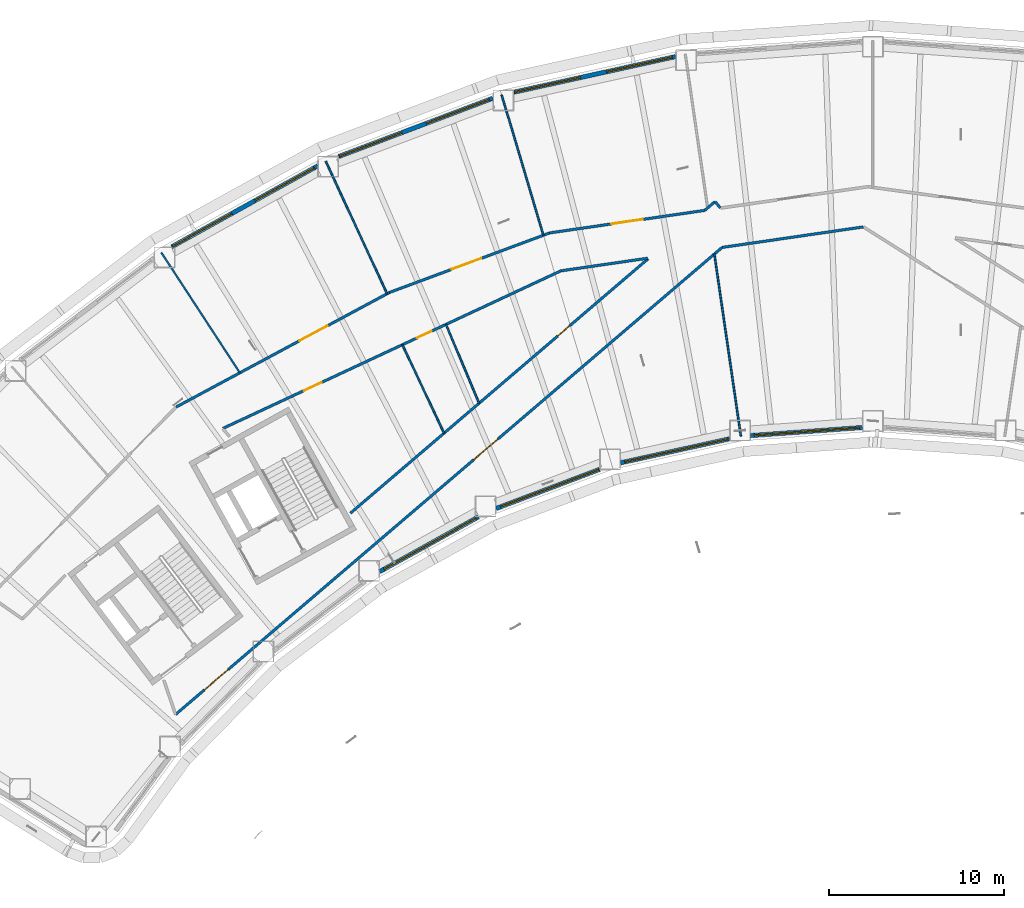
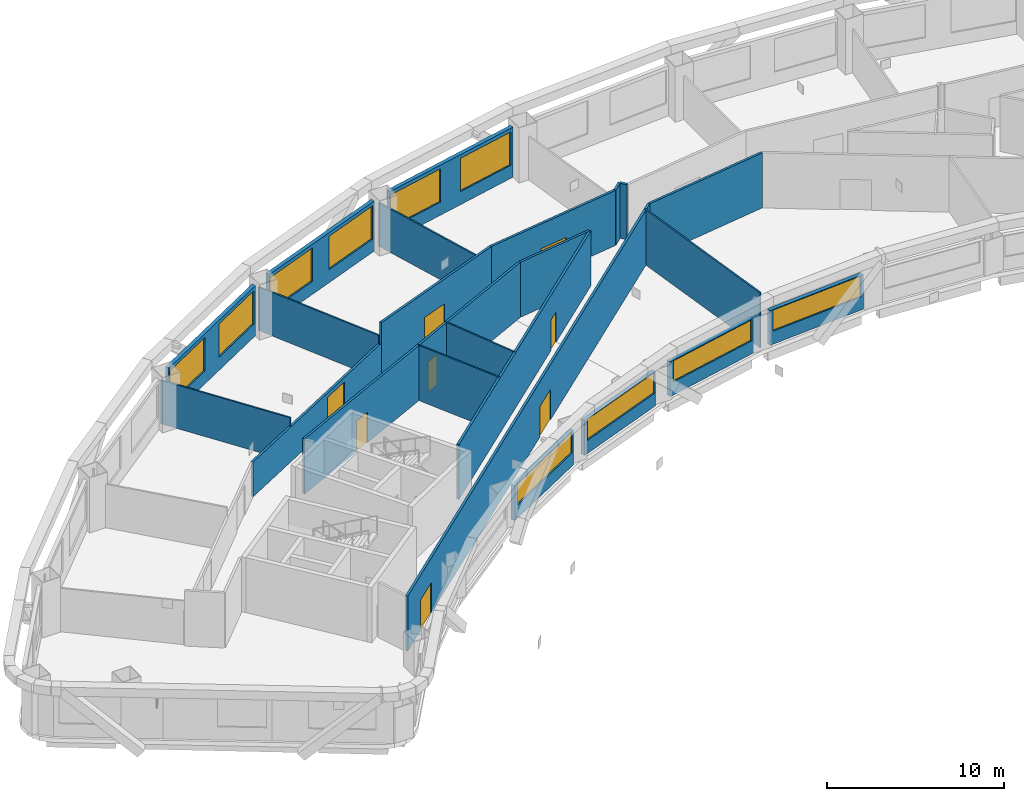
# One storey, part 4 of 19: 23 walls, 10 windows, 8 doors, 18 openings.
"""IFC4 building model written with IfcOpenShell, lengths in metres."""

from ifc_helpers import new_model, si_unit, direction, frame, frame_2d, origin, place, context, subcontext, project, spatial, rectangle, extrude, material, layer, layer_set, type_object, element, fill, save


model = new_model("IFC4")

# Units and contexts
model_context = context("Model", 3, precision=1e-05, world=origin(), true_north=direction((0.0, 1.0)))
body_context = subcontext(model_context, "Body", "Model", "MODEL_VIEW")
ifc_project = project(units=[si_unit("LENGTHUNIT", "METRE"), si_unit("AREAUNIT", "SQUARE_METRE"), si_unit("VOLUMEUNIT", "CUBIC_METRE"), si_unit("PLANEANGLEUNIT", "RADIAN"), si_unit("MASSUNIT", "GRAM", prefix="KILO")], contexts=[model_context])

# Site, building, storey
site_placement = place(None, origin())
site = spatial("IfcSite", under=ifc_project, at=site_placement, CompositionType="ELEMENT")
building_placement = place(site_placement, origin())
building = spatial("IfcBuilding", under=site, at=building_placement, Name="Tuul Gate Civic Tower", CompositionType="ELEMENT")
storey_placement = place(building_placement, frame((0.0, 0.0, 90.60009765625)))
storey = spatial("IfcBuildingStorey", under=building, at=storey_placement, Name="Level 20", CompositionType="ELEMENT", Elevation=90.60009765625)

# Wall, opening, door
ifc_material_1 = material(Name="Gypsum board partition")
ifc_layer_1 = layer(ifc_material_1, 0.14990234375)
ifc_layer_set_1 = layer_set([ifc_layer_1], Name="Gypsum board partition")
wall_type_1 = type_object("IfcWallType", Name="Corridor wall P150", PredefinedType="PARTITIONING", material=ifc_layer_set_1)
wall_1_placement = place(storey_placement, frame((-13.622314453125, 8.079833984375, 0.0), z_axis=(0.0, 0.0, 1.0), x_axis=(0.989618205953, 0.143721280421, 0.0)))
wall_1 = element("IfcWall", 1, at=wall_1_placement, inside=storey, type_object=wall_type_1, Name="p021", PredefinedType="PARTITIONING", context=body_context, shape_type="SweptSolid", body=[
    extrude(rectangle(XDim=8.93017578125, YDim=0.14990234375, at=frame_2d((4.465087890625, 0.0))), origin(), (0.0, 0.0, 1.0), 3.7998046875),
])
opening_1_placement = place(wall_1_placement, frame((3.56494140625, 0.0, 0.0)))
opening_1 = element("IfcOpeningElement", 2, at=opening_1_placement, cuts=wall_1, Name="Opening F-D07", PredefinedType="OPENING", context=body_context, shape_type="SweptSolid", body=[
    extrude(rectangle(XDim=1.800048828125, YDim=2.10009765625, at=frame_2d((0.89990234375, 1.050048828125))), frame((0.0, 0.0849609375, 0.0), z_axis=(0.0, -1.0, 0.0), x_axis=(1.0, 0.0, 0.0)), (0.0, 0.0, 1.0), 0.169921875),
])
ifc_material_2 = material(Name="Timber door leaf, double", Category="wood")
door_type_1 = type_object("IfcDoorType", Name="Door D18", OperationType="DOUBLE_DOOR_SINGLE_SWING", PredefinedType="DOOR", material=ifc_material_2)
door_1_placement = place(opening_1_placement, origin())
door_1 = element("IfcDoor", 3, at=door_1_placement, inside=storey, type_object=door_type_1, Name="Door F-D07", OperationType="DOUBLE_DOOR_SINGLE_SWING", OverallHeight=2.10009765625, OverallWidth=1.800048828125, PredefinedType="DOOR", context=body_context, shape_type="SweptSolid", body=[
    extrude(rectangle(XDim=1.800048828125, YDim=2.10009765625, at=frame_2d((0.89990234375, 1.050048828125))), frame((0.0, 0.02490234375, 0.0), z_axis=(0.0, -1.0, 0.0), x_axis=(1.0, 0.0, 0.0)), (0.0, 0.0, 1.0), 0.050048828125),
])
fill(opening_1, door_1)

# Wall
wall_2_placement = place(storey_placement, frame((-4.19384765625, 9.86376953125, 0.0), z_axis=(0.0, 0.0, 1.0), x_axis=(0.649560302812, -0.760310076884, 0.0)))
element("IfcWall", 4, at=wall_2_placement, inside=storey, type_object=wall_type_1, Name="p023", PredefinedType="PARTITIONING", context=body_context, shape_type="SweptSolid", body=[
    extrude(rectangle(XDim=0.473876953125, YDim=0.14990234375, at=frame_2d((0.23681640625, 0.0))), origin(), (0.0, 0.0, 1.0), 3.7998046875),
])

# Wall, opening, door
wall_3_placement = place(storey_placement, frame((-24.98876953125, -7.906494140625, 0.0), z_axis=(0.0, 0.0, 1.0), x_axis=(0.760220451321, 0.649665194845, 0.0)))
wall_3 = element("IfcWall", 5, at=wall_3_placement, inside=storey, type_object=wall_type_1, Name="p024", PredefinedType="PARTITIONING", context=body_context, shape_type="SweptSolid", body=[
    extrude(rectangle(XDim=22.33056640625, YDim=0.14990234375, at=frame_2d((11.165283203125, 0.0))), origin(), (0.0, 0.0, 1.0), 3.7998046875),
])
opening_2_placement = place(wall_3_placement, frame((15.542236328125, 0.0, 0.0)))
opening_2 = element("IfcOpeningElement", 6, at=opening_2_placement, cuts=wall_3, Name="Opening F-D20", PredefinedType="OPENING", context=body_context, shape_type="SweptSolid", body=[
    extrude(rectangle(XDim=0.89990234375, YDim=2.10009765625, at=frame_2d((0.449951171875, 1.050048828125))), frame((0.0, 0.0849609375, 0.0), z_axis=(0.0, -1.0, 0.0), x_axis=(1.0, 0.0, 0.0)), (0.0, 0.0, 1.0), 0.169921875),
])
ifc_material_3 = material(Name="Timber door leaf", Category="wood")
door_type_2 = type_object("IfcDoorType", Name="Door D09", OperationType="NOTDEFINED", PredefinedType="DOOR", material=ifc_material_3)
door_2_placement = place(opening_2_placement, origin())
door_2 = element("IfcDoor", 7, at=door_2_placement, inside=storey, type_object=door_type_2, Name="Door F-D20", OperationType="SINGLE_SWING_RIGHT", OverallHeight=2.10009765625, OverallWidth=0.89990234375, PredefinedType="DOOR", context=body_context, shape_type="SweptSolid", body=[
    extrude(rectangle(XDim=0.89990234375, YDim=2.10009765625, at=frame_2d((0.449951171875, 1.050048828125))), frame((0.0, 0.02490234375, 0.0), z_axis=(0.0, -1.0, 0.0), x_axis=(1.0, 0.0, 0.0)), (0.0, 0.0, 1.0), 0.050048828125),
])
fill(opening_2, door_2)

# Wall
wall_4_placement = place(storey_placement, frame((-4.77490234375, 9.367919921875, 0.0), z_axis=(0.0, 0.0, 1.0), x_axis=(0.760271655503, 0.649605272329, 0.0)))
element("IfcWall", 8, at=wall_4_placement, inside=storey, type_object=wall_type_1, Name="p025", PredefinedType="PARTITIONING", context=body_context, shape_type="SweptSolid", body=[
    extrude(rectangle(XDim=0.763427734375, YDim=0.14990234375, at=frame_2d((0.3818359375, 0.0))), origin(), (0.0, 0.0, 1.0), 3.7998046875),
])

# Wall, opening, door
wall_5_placement = place(storey_placement, frame((-22.761962890625, 4.682861328125, 0.0), z_axis=(0.0, 0.0, 1.0), x_axis=(0.937346082051, 0.348399659104, 0.0)))
wall_5 = element("IfcWall", 9, at=wall_5_placement, inside=storey, type_object=wall_type_1, Name="p027", PredefinedType="PARTITIONING", context=body_context, shape_type="SweptSolid", body=[
    extrude(rectangle(XDim=9.74951171875, YDim=0.14990234375, at=frame_2d((4.874755859375, 0.0))), origin(), (0.0, 0.0, 1.0), 3.7998046875),
])
opening_3_placement = place(wall_5_placement, frame((3.784423828125, 0.0, 0.0)))
opening_3 = element("IfcOpeningElement", 10, at=opening_3_placement, cuts=wall_5, Name="Opening F-D08", PredefinedType="OPENING", context=body_context, shape_type="SweptSolid", body=[
    extrude(rectangle(XDim=1.800048828125, YDim=2.10009765625, at=frame_2d((0.89990234375, 1.050048828125))), frame((0.0, 0.0849609375, 0.0), z_axis=(0.0, -1.0, 0.0), x_axis=(1.0, 0.0, 0.0)), (0.0, 0.0, 1.0), 0.169921875),
])
door_3_placement = place(opening_3_placement, origin())
door_3 = element("IfcDoor", 11, at=door_3_placement, inside=storey, type_object=door_type_1, Name="Door F-D08", OperationType="DOUBLE_DOOR_SINGLE_SWING", OverallHeight=2.10009765625, OverallWidth=1.800048828125, PredefinedType="DOOR", context=body_context, shape_type="SweptSolid", body=[
    extrude(rectangle(XDim=1.800048828125, YDim=2.10009765625, at=frame_2d((0.89990234375, 1.050048828125))), frame((0.0, 0.02490234375, 0.0), z_axis=(0.0, -1.0, 0.0), x_axis=(1.0, 0.0, 0.0)), (0.0, 0.0, 1.0), 0.050048828125),
])
fill(opening_3, door_3)

# Wall, openings, doors
wall_6_placement = place(storey_placement, frame((-34.961181640625, -19.38818359375, 0.0), z_axis=(0.0, 0.0, 1.0), x_axis=(0.760222517419, 0.649662777146, 0.0)))
wall_6 = element("IfcWall", 12, at=wall_6_placement, inside=storey, type_object=wall_type_1, Name="p042", PredefinedType="PARTITIONING", context=body_context, shape_type="SweptSolid", body=[
    extrude(rectangle(XDim=41.0, YDim=0.14990234375, at=frame_2d((20.5, 0.0))), origin(), (0.0, 0.0, 1.0), 3.7998046875),
])
opening_4_placement = place(wall_6_placement, frame((22.376220703125, 0.0, 0.0)))
opening_4 = element("IfcOpeningElement", 13, at=opening_4_placement, cuts=wall_6, Name="Opening F-D15", PredefinedType="OPENING", context=body_context, shape_type="SweptSolid", body=[
    extrude(rectangle(XDim=1.800048828125, YDim=2.10009765625, at=frame_2d((0.89990234375, 1.050048828125))), frame((0.0, 0.0849609375, 0.0), z_axis=(0.0, -1.0, 0.0), x_axis=(1.0, 0.0, 0.0)), (0.0, 0.0, 1.0), 0.169921875),
])
opening_5_placement = place(wall_6_placement, frame((2.164306640625, 0.0, 0.0)))
opening_5 = element("IfcOpeningElement", 14, at=opening_5_placement, cuts=wall_6, Name="Opening F-D16", PredefinedType="OPENING", context=body_context, shape_type="SweptSolid", body=[
    extrude(rectangle(XDim=1.800048828125, YDim=2.10009765625, at=frame_2d((0.89990234375, 1.050048828125))), frame((0.0, 0.0849609375, 0.0), z_axis=(0.0, -1.0, 0.0), x_axis=(1.0, 0.0, 0.0)), (0.0, 0.0, 1.0), 0.169921875),
])
door_4_placement = place(opening_4_placement, frame((1.800048828125, 0.0, 0.0), z_axis=(0.0, 0.0, 1.0), x_axis=(-1.0, 0.0, 0.0)))
door_4 = element("IfcDoor", 15, at=door_4_placement, inside=storey, type_object=door_type_1, Name="Door F-D15", OperationType="DOUBLE_DOOR_SINGLE_SWING", OverallHeight=2.10009765625, OverallWidth=1.800048828125, PredefinedType="DOOR", context=body_context, shape_type="SweptSolid", body=[
    extrude(rectangle(XDim=1.800048828125, YDim=2.10009765625, at=frame_2d((0.900146484375, 1.050048828125))), frame((0.0, 0.02490234375, 0.0), z_axis=(0.0, -1.0, 0.0), x_axis=(1.0, 0.0, 0.0)), (0.0, 0.0, 1.0), 0.050048828125),
])
fill(opening_4, door_4)
door_5_placement = place(opening_5_placement, frame((1.800048828125, 0.0, 0.0), z_axis=(0.0, 0.0, 1.0), x_axis=(-1.0, 0.0, 0.0)))
door_5 = element("IfcDoor", 16, at=door_5_placement, inside=storey, type_object=door_type_1, Name="Door F-D16", OperationType="DOUBLE_DOOR_SINGLE_SWING", OverallHeight=2.10009765625, OverallWidth=1.800048828125, PredefinedType="DOOR", context=body_context, shape_type="SweptSolid", body=[
    extrude(rectangle(XDim=1.800048828125, YDim=2.10009765625, at=frame_2d((0.900146484375, 1.050048828125))), frame((0.0, 0.02490234375, 0.0), z_axis=(0.0, -1.0, 0.0), x_axis=(1.0, 0.0, 0.0)), (0.0, 0.0, 1.0), 0.050048828125),
])
fill(opening_5, door_5)

# Walls
wall_7_placement = place(storey_placement, frame((-12.9833984375, 5.916259765625, 0.0), z_axis=(0.0, 0.0, 1.0), x_axis=(0.98961420337, 0.143748838213, 0.0)))
element("IfcWall", 17, at=wall_7_placement, inside=storey, type_object=wall_type_1, Name="p043", PredefinedType="PARTITIONING", context=body_context, shape_type="SweptSolid", body=[
    extrude(rectangle(XDim=5.0068359375, YDim=0.14990234375, at=frame_2d((2.50341796875, 0.0))), origin(), (0.0, 0.0, 1.0), 3.7998046875),
])
wall_8_placement = place(storey_placement, frame((-3.78173828125, 7.252685546875, 0.0), z_axis=(0.0, 0.0, 1.0), x_axis=(0.989615748176, 0.14373820286, 0.0)))
element("IfcWall", 18, at=wall_8_placement, inside=storey, type_object=wall_type_1, Name="p044", PredefinedType="PARTITIONING", context=body_context, shape_type="SweptSolid", body=[
    extrude(rectangle(XDim=8.12744140625, YDim=0.14990234375, at=frame_2d((4.063720703125, 0.0))), origin(), (0.0, 0.0, 1.0), 3.7998046875),
])

# Wall, openings, doors
wall_9_placement = place(storey_placement, frame((-32.259521484375, -3.0703125, 0.0), z_axis=(0.0, 0.0, 1.0), x_axis=(0.906327999579, 0.422574913096, 0.0)))
wall_9 = element("IfcWall", 19, at=wall_9_placement, inside=storey, type_object=wall_type_1, Name="p061", PredefinedType="PARTITIONING", context=body_context, shape_type="SweptSolid", body=[
    extrude(rectangle(XDim=21.26220703125, YDim=0.14990234375, at=frame_2d((10.631103515625, 0.0))), origin(), (0.0, 0.0, 1.0), 3.7998046875),
])
opening_6_placement = place(wall_9_placement, frame((12.2158203125, 0.0, 0.0)))
opening_6 = element("IfcOpeningElement", 20, at=opening_6_placement, cuts=wall_9, Name="Opening F-D21", PredefinedType="OPENING", context=body_context, shape_type="SweptSolid", body=[
    extrude(rectangle(XDim=0.89990234375, YDim=2.10009765625, at=frame_2d((0.449951171875, 1.050048828125))), frame((0.0, 0.0849609375, 0.0), z_axis=(0.0, -1.0, 0.0), x_axis=(1.0, 0.0, 0.0)), (0.0, 0.0, 1.0), 0.169921875),
])
opening_7_placement = place(wall_9_placement, frame((5.096435546875, 0.0, 0.0)))
opening_7 = element("IfcOpeningElement", 21, at=opening_7_placement, cuts=wall_9, Name="Opening F-D22", PredefinedType="OPENING", context=body_context, shape_type="SweptSolid", body=[
    extrude(rectangle(XDim=1.10009765625, YDim=2.10009765625, at=frame_2d((0.550048828125, 1.050048828125))), frame((0.0, 0.0849609375, 0.0), z_axis=(0.0, -1.0, 0.0), x_axis=(1.0, 0.0, 0.0)), (0.0, 0.0, 1.0), 0.169921875),
])
door_6_placement = place(opening_6_placement, frame((0.89990234375, 0.0, 0.0), z_axis=(0.0, 0.0, 1.0), x_axis=(-1.0, 0.0, 0.0)))
door_6 = element("IfcDoor", 22, at=door_6_placement, inside=storey, type_object=door_type_2, Name="Door F-D21", OperationType="SINGLE_SWING_LEFT", OverallHeight=2.10009765625, OverallWidth=0.89990234375, PredefinedType="DOOR", context=body_context, shape_type="SweptSolid", body=[
    extrude(rectangle(XDim=0.89990234375, YDim=2.10009765625, at=frame_2d((0.449951171875, 1.050048828125))), frame((0.0, 0.02490234375, 0.0), z_axis=(0.0, -1.0, 0.0), x_axis=(1.0, 0.0, 0.0)), (0.0, 0.0, 1.0), 0.050048828125),
])
fill(opening_6, door_6)
ifc_material_4 = material(Name="Timber door leaf", Category="wood")
door_type_3 = type_object("IfcDoorType", Name="Door D11", OperationType="NOTDEFINED", PredefinedType="DOOR", material=ifc_material_4)
door_7_placement = place(opening_7_placement, frame((1.10009765625, 0.0, 0.0), z_axis=(0.0, 0.0, 1.0), x_axis=(-1.0, 0.0, 0.0)))
door_7 = element("IfcDoor", 23, at=door_7_placement, inside=storey, type_object=door_type_3, Name="Door F-D22", OperationType="SINGLE_SWING_LEFT", OverallHeight=2.10009765625, OverallWidth=1.10009765625, PredefinedType="DOOR", context=body_context, shape_type="SweptSolid", body=[
    extrude(rectangle(XDim=1.10009765625, YDim=2.10009765625, at=frame_2d((0.550048828125, 1.050048828125))), frame((0.0, 0.02490234375, 0.0), z_axis=(0.0, -1.0, 0.0), x_axis=(1.0, 0.0, 0.0)), (0.0, 0.0, 1.0), 0.050048828125),
])
fill(opening_7, door_7)

# Wall, opening, door
ifc_material_5 = material(Name="Gypsum board partition")
ifc_layer_2 = layer(ifc_material_5, 0.14990234375)
ifc_layer_set_2 = layer_set([ifc_layer_2], Name="Gypsum board partition")
wall_type_2 = type_object("IfcWallType", Name="Corridor wall P150 2400 HIGH", PredefinedType="PARTITIONING", material=ifc_layer_set_2)
wall_10_placement = place(storey_placement, frame((-34.932861328125, -1.854248046875, 0.0), z_axis=(0.0, 0.0, 1.0), x_axis=(0.880970008897, 0.473172107613, 0.0)))
wall_10 = element("IfcWall", 24, at=wall_10_placement, inside=storey, type_object=wall_type_2, Name="p029", PredefinedType="PARTITIONING", context=body_context, shape_type="SweptSolid", body=[
    extrude(rectangle(XDim=13.81396484375, YDim=0.14990234375, at=frame_2d((6.906982421875, 0.0))), origin(), (0.0, 0.0, 1.0), 2.39990234375),
])
opening_8_placement = place(wall_10_placement, frame((7.99609375, 0.0, 0.0)))
opening_8 = element("IfcOpeningElement", 25, at=opening_8_placement, cuts=wall_10, Name="Opening F-D09", PredefinedType="OPENING", context=body_context, shape_type="SweptSolid", body=[
    extrude(rectangle(XDim=1.800048828125, YDim=2.10009765625, at=frame_2d((0.89990234375, 1.050048828125))), frame((0.0, 0.0849609375, 0.0), z_axis=(0.0, -1.0, 0.0), x_axis=(1.0, 0.0, 0.0)), (0.0, 0.0, 1.0), 0.169921875),
])
door_8_placement = place(opening_8_placement, origin())
door_8 = element("IfcDoor", 26, at=door_8_placement, inside=storey, type_object=door_type_1, Name="Door F-D09", OperationType="DOUBLE_DOOR_SINGLE_SWING", OverallHeight=2.10009765625, OverallWidth=1.800048828125, PredefinedType="DOOR", context=body_context, shape_type="SweptSolid", body=[
    extrude(rectangle(XDim=1.800048828125, YDim=2.10009765625, at=frame_2d((0.89990234375, 1.050048828125))), frame((0.0, 0.02490234375, 0.0), z_axis=(0.0, -1.0, 0.0), x_axis=(1.0, 0.0, 0.0)), (0.0, 0.0, 1.0), 0.050048828125),
])
fill(opening_8, door_8)

# Wall, openings, windows
ifc_material_6 = material(Name="Precast concrete C40/50", Category="concrete")
ifc_layer_3 = layer(ifc_material_6, 0.25)
ifc_layer_set_3 = layer_set([ifc_layer_3], Name="Precast concrete C40/50")
wall_type_3 = type_object("IfcWallType", Name="External wall", PredefinedType="STANDARD", material=ifc_layer_set_3)
wall_11_placement = place(storey_placement, frame((-6.44091796875, 18.135986328125, 0.0), z_axis=(0.0, 0.0, 1.0), x_axis=(-0.976566757171, -0.215214703934, 0.0)))
wall_11 = element("IfcWall", 27, at=wall_11_placement, inside=storey, type_object=wall_type_3, Name="External wall", PredefinedType="STANDARD", context=body_context, shape_type="SweptSolid", body=[
    extrude(rectangle(XDim=9.448486328125, YDim=0.25, at=frame_2d((4.72412109375, 0.0))), origin(), (0.0, 0.0, 1.0), 3.449951171875),
])
opening_9_placement = place(wall_11_placement, frame((0.185302734375, 0.0, 0.89990234375)))
opening_9 = element("IfcOpeningElement", 28, at=opening_9_placement, cuts=wall_11, Name="Opening W22", PredefinedType="OPENING", context=body_context, shape_type="SweptSolid", body=[
    extrude(rectangle(XDim=3.85009765625, YDim=2.300048828125, at=frame_2d((1.925048828125, 1.14990234375))), frame((0.0, 0.135009765625, 0.0), z_axis=(0.0, -1.0, 0.0), x_axis=(1.0, 0.0, 0.0)), (0.0, 0.0, 1.0), 0.27001953125),
])
opening_10_placement = place(wall_11_placement, frame((5.556640625, 0.0, 0.89990234375)))
opening_10 = element("IfcOpeningElement", 29, at=opening_10_placement, cuts=wall_11, Name="Opening W22", PredefinedType="OPENING", context=body_context, shape_type="SweptSolid", body=[
    extrude(rectangle(XDim=3.85009765625, YDim=2.300048828125, at=frame_2d((1.925048828125, 1.14990234375))), frame((0.0, 0.135009765625, 0.0), z_axis=(0.0, -1.0, 0.0), x_axis=(1.0, 0.0, 0.0)), (0.0, 0.0, 1.0), 0.27001953125),
])
ifc_material_7 = material(Name="Glass", Category="glass")
window_type_1 = type_object("IfcWindowType", Name="Window W22 3850 x 2300", PartitioningType="SINGLE_PANEL", PredefinedType="WINDOW", material=ifc_material_7)
window_1_placement = place(opening_9_placement, origin())
window_1 = element("IfcWindow", 30, at=window_1_placement, inside=storey, type_object=window_type_1, Name="Window", OverallHeight=2.300048828125, OverallWidth=3.85009765625, PartitioningType="SINGLE_PANEL", PredefinedType="WINDOW", context=body_context, shape_type="SweptSolid", body=[
    extrude(rectangle(XDim=3.85009765625, YDim=2.300048828125, at=frame_2d((1.925048828125, 1.14990234375))), frame((0.0, 0.030029296875, 0.0), z_axis=(0.0, -1.0, 0.0), x_axis=(1.0, 0.0, 0.0)), (0.0, 0.0, 1.0), 0.06005859375),
])
fill(opening_9, window_1)
window_2_placement = place(opening_10_placement, origin())
window_2 = element("IfcWindow", 31, at=window_2_placement, inside=storey, type_object=window_type_1, Name="Window", OverallHeight=2.300048828125, OverallWidth=3.85009765625, PartitioningType="SINGLE_PANEL", PredefinedType="WINDOW", context=body_context, shape_type="SweptSolid", body=[
    extrude(rectangle(XDim=3.85009765625, YDim=2.300048828125, at=frame_2d((1.925048828125, 1.14990234375))), frame((0.0, 0.030029296875, 0.0), z_axis=(0.0, -1.0, 0.0), x_axis=(1.0, 0.0, 0.0)), (0.0, 0.0, 1.0), 0.06005859375),
])
fill(opening_10, window_2)

wall_12_placement = place(storey_placement, frame((-16.867919921875, 15.75830078125, 0.0), z_axis=(0.0, 0.0, 1.0), x_axis=(-0.935342969648, -0.353742178897, 0.0)))
wall_12 = element("IfcWall", 32, at=wall_12_placement, inside=storey, type_object=wall_type_3, Name="External wall", PredefinedType="STANDARD", context=body_context, shape_type="SweptSolid", body=[
    extrude(rectangle(XDim=9.39453125, YDim=0.25, at=frame_2d((4.697265625, 0.0))), origin(), (0.0, 0.0, 1.0), 3.449951171875),
])
opening_11_placement = place(wall_12_placement, frame((0.209716796875, 0.0, 0.89990234375)))
opening_11 = element("IfcOpeningElement", 33, at=opening_11_placement, cuts=wall_12, Name="Opening W22", PredefinedType="OPENING", context=body_context, shape_type="SweptSolid", body=[
    extrude(rectangle(XDim=3.85009765625, YDim=2.300048828125, at=frame_2d((1.925048828125, 1.14990234375))), frame((0.0, 0.135009765625, 0.0), z_axis=(0.0, -1.0, 0.0), x_axis=(1.0, 0.0, 0.0)), (0.0, 0.0, 1.0), 0.27001953125),
])
opening_12_placement = place(wall_12_placement, frame((5.549072265625, 0.0, 0.89990234375)))
opening_12 = element("IfcOpeningElement", 34, at=opening_12_placement, cuts=wall_12, Name="Opening W100", PredefinedType="OPENING", context=body_context, shape_type="SweptSolid", body=[
    extrude(rectangle(XDim=3.800048828125, YDim=2.300048828125, at=frame_2d((1.89990234375, 1.14990234375))), frame((0.0, 0.135009765625, 0.0), z_axis=(0.0, -1.0, 0.0), x_axis=(1.0, 0.0, 0.0)), (0.0, 0.0, 1.0), 0.27001953125),
])
ifc_material_8 = material(Name="Glass", Category="glass")
window_type_2 = type_object("IfcWindowType", Name="Window W100 3800 x 2300", PartitioningType="SINGLE_PANEL", PredefinedType="WINDOW", material=ifc_material_8)
window_3_placement = place(opening_12_placement, origin())
window_3 = element("IfcWindow", 35, at=window_3_placement, inside=storey, type_object=window_type_2, Name="Window", OverallHeight=2.300048828125, OverallWidth=3.800048828125, PartitioningType="SINGLE_PANEL", PredefinedType="WINDOW", context=body_context, shape_type="SweptSolid", body=[
    extrude(rectangle(XDim=3.800048828125, YDim=2.300048828125, at=frame_2d((1.89990234375, 1.14990234375))), frame((0.0, 0.030029296875, 0.0), z_axis=(0.0, -1.0, 0.0), x_axis=(1.0, 0.0, 0.0)), (0.0, 0.0, 1.0), 0.06005859375),
])
fill(opening_12, window_3)
window_4_placement = place(opening_11_placement, origin())
window_4 = element("IfcWindow", 36, at=window_4_placement, inside=storey, type_object=window_type_1, Name="Window", OverallHeight=2.300048828125, OverallWidth=3.85009765625, PartitioningType="SINGLE_PANEL", PredefinedType="WINDOW", context=body_context, shape_type="SweptSolid", body=[
    extrude(rectangle(XDim=3.85009765625, YDim=2.300048828125, at=frame_2d((1.925048828125, 1.14990234375))), frame((0.0, 0.030029296875, 0.0), z_axis=(0.0, -1.0, 0.0), x_axis=(1.0, 0.0, 0.0)), (0.0, 0.0, 1.0), 0.06005859375),
])
fill(opening_11, window_4)

wall_13_placement = place(storey_placement, frame((-26.85498046875, 11.89990234375, 0.0), z_axis=(0.0, 0.0, 1.0), x_axis=(-0.874624944876, -0.484800170999, 0.0)))
wall_13 = element("IfcWall", 37, at=wall_13_placement, inside=storey, type_object=wall_type_3, Name="External wall", PredefinedType="STANDARD", context=body_context, shape_type="SweptSolid", body=[
    extrude(rectangle(XDim=9.521484375, YDim=0.25, at=frame_2d((4.7607421875, 0.0))), origin(), (0.0, 0.0, 1.0), 3.449951171875),
])
opening_13_placement = place(wall_13_placement, frame((0.22265625, 0.0, 0.89990234375)))
opening_13 = element("IfcOpeningElement", 38, at=opening_13_placement, cuts=wall_13, Name="Opening W22", PredefinedType="OPENING", context=body_context, shape_type="SweptSolid", body=[
    extrude(rectangle(XDim=3.85009765625, YDim=2.300048828125, at=frame_2d((1.925048828125, 1.14990234375))), frame((0.0, 0.135009765625, 0.0), z_axis=(0.0, -1.0, 0.0), x_axis=(1.0, 0.0, 0.0)), (0.0, 0.0, 1.0), 0.27001953125),
])
opening_14_placement = place(wall_13_placement, frame((5.593994140625, 0.0, 0.89990234375)))
opening_14 = element("IfcOpeningElement", 39, at=opening_14_placement, cuts=wall_13, Name="Opening W22", PredefinedType="OPENING", context=body_context, shape_type="SweptSolid", body=[
    extrude(rectangle(XDim=3.85009765625, YDim=2.300048828125, at=frame_2d((1.925048828125, 1.14990234375))), frame((0.0, 0.135009765625, 0.0), z_axis=(0.0, -1.0, 0.0), x_axis=(1.0, 0.0, 0.0)), (0.0, 0.0, 1.0), 0.27001953125),
])
window_5_placement = place(opening_13_placement, origin())
window_5 = element("IfcWindow", 40, at=window_5_placement, inside=storey, type_object=window_type_1, Name="Window", OverallHeight=2.300048828125, OverallWidth=3.85009765625, PartitioningType="SINGLE_PANEL", PredefinedType="WINDOW", context=body_context, shape_type="SweptSolid", body=[
    extrude(rectangle(XDim=3.85009765625, YDim=2.300048828125, at=frame_2d((1.925048828125, 1.14990234375))), frame((0.0, 0.030029296875, 0.0), z_axis=(0.0, -1.0, 0.0), x_axis=(1.0, 0.0, 0.0)), (0.0, 0.0, 1.0), 0.06005859375),
])
fill(opening_13, window_5)
window_6_placement = place(opening_14_placement, origin())
window_6 = element("IfcWindow", 41, at=window_6_placement, inside=storey, type_object=window_type_1, Name="Window", OverallHeight=2.300048828125, OverallWidth=3.85009765625, PartitioningType="SINGLE_PANEL", PredefinedType="WINDOW", context=body_context, shape_type="SweptSolid", body=[
    extrude(rectangle(XDim=3.85009765625, YDim=2.300048828125, at=frame_2d((1.925048828125, 1.14990234375))), frame((0.0, 0.030029296875, 0.0), z_axis=(0.0, -1.0, 0.0), x_axis=(1.0, 0.0, 0.0)), (0.0, 0.0, 1.0), 0.06005859375),
])
fill(opening_14, window_6)

# Wall, opening, window
ifc_material_9 = material(Name="Precast concrete C40/50", Category="concrete")
ifc_layer_4 = layer(ifc_material_9, 0.25)
ifc_layer_set_4 = layer_set([ifc_layer_4], Name="Precast concrete C40/50")
wall_type_4 = type_object("IfcWallType", Name="External wall 2400 HIGH", PredefinedType="STANDARD", material=ifc_layer_set_4)
wall_14_placement = place(storey_placement, frame((-23.318115234375, -11.23583984375, 0.0), z_axis=(0.0, 0.0, 1.0), x_axis=(0.874622293174, 0.484804954888, 0.0)))
wall_14 = element("IfcWall", 42, at=wall_14_placement, inside=storey, type_object=wall_type_4, Name="External wall", PredefinedType="STANDARD", context=body_context, shape_type="SweptSolid", body=[
    extrude(rectangle(XDim=6.433349609375, YDim=0.25, at=frame_2d((3.216796875, 0.0))), origin(), (0.0, 0.0, 1.0), 2.39990234375),
])
opening_15_placement = place(wall_14_placement, frame((0.2890625, 0.0, 0.89990234375)))
opening_15 = element("IfcOpeningElement", 43, at=opening_15_placement, cuts=wall_14, Name="Opening W107", PredefinedType="OPENING", context=body_context, shape_type="SweptSolid", body=[
    extrude(rectangle(XDim=6.0, YDim=1.449951171875, at=frame_2d((3.0, 0.72509765625))), frame((0.0, 0.135009765625, 0.0), z_axis=(0.0, -1.0, 0.0), x_axis=(1.0, 0.0, 0.0)), (0.0, 0.0, 1.0), 0.27001953125),
])
ifc_material_10 = material(Name="Glass", Category="glass")
window_type_3 = type_object("IfcWindowType", Name="Window W107 6000 x 1450", PartitioningType="SINGLE_PANEL", PredefinedType="WINDOW", material=ifc_material_10)
window_7_placement = place(opening_15_placement, origin())
window_7 = element("IfcWindow", 44, at=window_7_placement, inside=storey, type_object=window_type_3, Name="Window", OverallHeight=1.449951171875, OverallWidth=6.0, PartitioningType="SINGLE_PANEL", PredefinedType="WINDOW", context=body_context, shape_type="SweptSolid", body=[
    extrude(rectangle(XDim=6.0, YDim=1.449951171875, at=frame_2d((3.0, 0.72509765625))), frame((0.0, 0.030029296875, 0.0), z_axis=(0.0, -1.0, 0.0), x_axis=(1.0, 0.0, 0.0)), (0.0, 0.0, 1.0), 0.06005859375),
])
fill(opening_15, window_7)

wall_15_placement = place(storey_placement, frame((-16.677978515625, -7.636962890625, 0.0), z_axis=(0.0, 0.0, 1.0), x_axis=(0.935355477431, 0.353709104829, 0.0)))
wall_15 = element("IfcWall", 45, at=wall_15_placement, inside=storey, type_object=wall_type_4, Name="External wall", PredefinedType="STANDARD", context=body_context, shape_type="SweptSolid", body=[
    extrude(rectangle(XDim=6.30859375, YDim=0.25, at=frame_2d((3.154296875, 0.0))), origin(), (0.0, 0.0, 1.0), 2.39990234375),
])
opening_16_placement = place(wall_15_placement, frame((0.277099609375, 0.0, 0.89990234375)))
opening_16 = element("IfcOpeningElement", 46, at=opening_16_placement, cuts=wall_15, Name="Opening W107", PredefinedType="OPENING", context=body_context, shape_type="SweptSolid", body=[
    extrude(rectangle(XDim=6.0, YDim=1.449951171875, at=frame_2d((3.0, 0.72509765625))), frame((0.0, 0.135009765625, 0.0), z_axis=(0.0, -1.0, 0.0), x_axis=(1.0, 0.0, 0.0)), (0.0, 0.0, 1.0), 0.27001953125),
])
window_8_placement = place(opening_16_placement, origin())
window_8 = element("IfcWindow", 47, at=window_8_placement, inside=storey, type_object=window_type_3, Name="Window", OverallHeight=1.449951171875, OverallWidth=6.0, PartitioningType="SINGLE_PANEL", PredefinedType="WINDOW", context=body_context, shape_type="SweptSolid", body=[
    extrude(rectangle(XDim=6.0, YDim=1.449951171875, at=frame_2d((3.0, 0.72509765625))), frame((0.0, 0.030029296875, 0.0), z_axis=(0.0, -1.0, 0.0), x_axis=(1.0, 0.0, 0.0)), (0.0, 0.0, 1.0), 0.06005859375),
])
fill(opening_16, window_8)

wall_16_placement = place(storey_placement, frame((-9.576904296875, -5.031982421875, 0.0), z_axis=(0.0, 0.0, 1.0), x_axis=(0.976560321841, 0.215243903065, 0.0)))
wall_16 = element("IfcWall", 48, at=wall_16_placement, inside=storey, type_object=wall_type_4, Name="External wall", PredefinedType="STANDARD", context=body_context, shape_type="SweptSolid", body=[
    extrude(rectangle(XDim=6.362060546875, YDim=0.25, at=frame_2d((3.18115234375, 0.0))), origin(), (0.0, 0.0, 1.0), 2.39990234375),
])
opening_17_placement = place(wall_16_placement, frame((0.251953125, 0.0, 0.89990234375)))
opening_17 = element("IfcOpeningElement", 49, at=opening_17_placement, cuts=wall_16, Name="Opening W107", PredefinedType="OPENING", context=body_context, shape_type="SweptSolid", body=[
    extrude(rectangle(XDim=6.0, YDim=1.449951171875, at=frame_2d((3.0, 0.72509765625))), frame((0.0, 0.135009765625, 0.0), z_axis=(0.0, -1.0, 0.0), x_axis=(1.0, 0.0, 0.0)), (0.0, 0.0, 1.0), 0.27001953125),
])
window_9_placement = place(opening_17_placement, origin())
window_9 = element("IfcWindow", 50, at=window_9_placement, inside=storey, type_object=window_type_3, Name="Window", OverallHeight=1.449951171875, OverallWidth=6.0, PartitioningType="SINGLE_PANEL", PredefinedType="WINDOW", context=body_context, shape_type="SweptSolid", body=[
    extrude(rectangle(XDim=6.0, YDim=1.449951171875, at=frame_2d((3.0, 0.72509765625))), frame((0.0, 0.030029296875, 0.0), z_axis=(0.0, -1.0, 0.0), x_axis=(1.0, 0.0, 0.0)), (0.0, 0.0, 1.0), 0.06005859375),
])
fill(opening_17, window_9)

wall_17_placement = place(storey_placement, frame((-2.1640625, -3.47998046875, 0.0), z_axis=(0.0, 0.0, 1.0), x_axis=(0.997382879348, 0.072300705277, 0.0)))
wall_17 = element("IfcWall", 51, at=wall_17_placement, inside=storey, type_object=wall_type_4, Name="External wall", PredefinedType="STANDARD", context=body_context, shape_type="SweptSolid", body=[
    extrude(rectangle(XDim=6.388671875, YDim=0.25, at=frame_2d((3.1943359375, 0.0))), origin(), (0.0, 0.0, 1.0), 2.39990234375),
])
opening_18_placement = place(wall_17_placement, frame((0.218017578125, 0.0, 0.89990234375)))
opening_18 = element("IfcOpeningElement", 52, at=opening_18_placement, cuts=wall_17, Name="Opening W107", PredefinedType="OPENING", context=body_context, shape_type="SweptSolid", body=[
    extrude(rectangle(XDim=6.0, YDim=1.449951171875, at=frame_2d((3.0, 0.72509765625))), frame((0.0, 0.135009765625, 0.0), z_axis=(0.0, -1.0, 0.0), x_axis=(1.0, 0.0, 0.0)), (0.0, 0.0, 1.0), 0.27001953125),
])
window_10_placement = place(opening_18_placement, origin())
window_10 = element("IfcWindow", 53, at=window_10_placement, inside=storey, type_object=window_type_3, Name="Window", OverallHeight=1.449951171875, OverallWidth=6.0, PartitioningType="SINGLE_PANEL", PredefinedType="WINDOW", context=body_context, shape_type="SweptSolid", body=[
    extrude(rectangle(XDim=6.0, YDim=1.449951171875, at=frame_2d((3.0, 0.72509765625))), frame((0.0, 0.030029296875, 0.0), z_axis=(0.0, -1.0, 0.0), x_axis=(1.0, 0.0, 0.0)), (0.0, 0.0, 1.0), 0.06005859375),
])
fill(opening_18, window_10)

# Walls
ifc_material_11 = material(Name="Gypsum board partition")
ifc_layer_5 = layer(ifc_material_11, 0.10009765625)
ifc_layer_set_5 = layer_set([ifc_layer_5], Name="Gypsum board partition")
wall_type_5 = type_object("IfcWallType", Name="Partition P100", PredefinedType="PARTITIONING", material=ifc_layer_set_5)
wall_18_placement = place(storey_placement, frame((-4.230224609375, 6.87353515625, 0.0), z_axis=(0.0, 0.0, 1.0), x_axis=(0.144117309922, -0.989560610059, 0.0)))
element("IfcWall", 54, at=wall_18_placement, inside=storey, type_object=wall_type_5, Name="p020", PredefinedType="PARTITIONING", context=body_context, shape_type="SweptSolid", body=[
    extrude(rectangle(XDim=10.508056640625, YDim=0.10009765625, at=frame_2d((5.25390625, 0.0))), origin(), (0.0, 0.0, 1.0), 3.7998046875),
])
wall_19_placement = place(storey_placement, frame((-19.53564453125, 2.8623046875, 0.0), z_axis=(0.0, 0.0, 1.0), x_axis=(0.386686846983, -0.922211083413, 0.0)))
element("IfcWall", 55, at=wall_19_placement, inside=storey, type_object=wall_type_5, Name="p060", PredefinedType="PARTITIONING", context=body_context, shape_type="SweptSolid", body=[
    extrude(rectangle(XDim=4.876708984375, YDim=0.10009765625, at=frame_2d((2.4384765625, 0.0))), origin(), (0.0, 0.0, 1.0), 3.7998046875),
])
wall_20_placement = place(storey_placement, frame((-22.0244140625, 1.701904296875, 0.0), z_axis=(0.0, 0.0, 1.0), x_axis=(0.426549739139, -0.904464106552, 0.0)))
element("IfcWall", 56, at=wall_20_placement, inside=storey, type_object=wall_type_5, Name="p062", PredefinedType="PARTITIONING", context=body_context, shape_type="SweptSolid", body=[
    extrude(rectangle(XDim=5.575439453125, YDim=0.10009765625, at=frame_2d((2.78759765625, 0.0))), origin(), (0.0, 0.0, 1.0), 3.7998046875),
])
ifc_material_12 = material(Name="Gypsum board partition")
ifc_layer_6 = layer(ifc_material_12, 0.10009765625)
ifc_layer_set_6 = layer_set([ifc_layer_6], Name="Gypsum board partition")
wall_type_6 = type_object("IfcWallType", Name="Partition P100 3000 HIGH", PredefinedType="PARTITIONING", material=ifc_layer_set_6)
wall_21_placement = place(storey_placement, frame((-16.36279296875, 15.95458984375, 0.0), z_axis=(0.0, 0.0, 1.0), x_axis=(0.285210451429, -0.958464917666, 0.0)))
element("IfcWall", 57, at=wall_21_placement, inside=storey, type_object=wall_type_6, Name="p026", PredefinedType="PARTITIONING", context=body_context, shape_type="SweptSolid", body=[
    extrude(rectangle(XDim=8.3544921875, YDim=0.10009765625, at=frame_2d((4.17724609375, 0.0))), origin(), (0.0, 0.0, 1.0), 3.0),
])
wall_22_placement = place(storey_placement, frame((-26.39453125, 12.160888671875, 0.0), z_axis=(0.0, 0.0, 1.0), x_axis=(0.420375004194, -0.907350459221, 0.0)))
element("IfcWall", 58, at=wall_22_placement, inside=storey, type_object=wall_type_6, Name="p028", PredefinedType="PARTITIONING", context=body_context, shape_type="SweptSolid", body=[
    extrude(rectangle(XDim=8.3212890625, YDim=0.10009765625, at=frame_2d((4.16064453125, 0.0))), origin(), (0.0, 0.0, 1.0), 3.0),
])
wall_23_placement = place(storey_placement, frame((-35.77490234375, 6.96142578125, 0.0), z_axis=(0.0, 0.0, 1.0), x_axis=(0.546699388688, -0.837328954718, 0.0)))
element("IfcWall", 59, at=wall_23_placement, inside=storey, type_object=wall_type_6, Name="p030", PredefinedType="PARTITIONING", context=body_context, shape_type="SweptSolid", body=[
    extrude(rectangle(XDim=8.194580078125, YDim=0.10009765625, at=frame_2d((4.09716796875, 0.0))), origin(), (0.0, 0.0, 1.0), 3.0),
])

save(model, "model.ifc")
